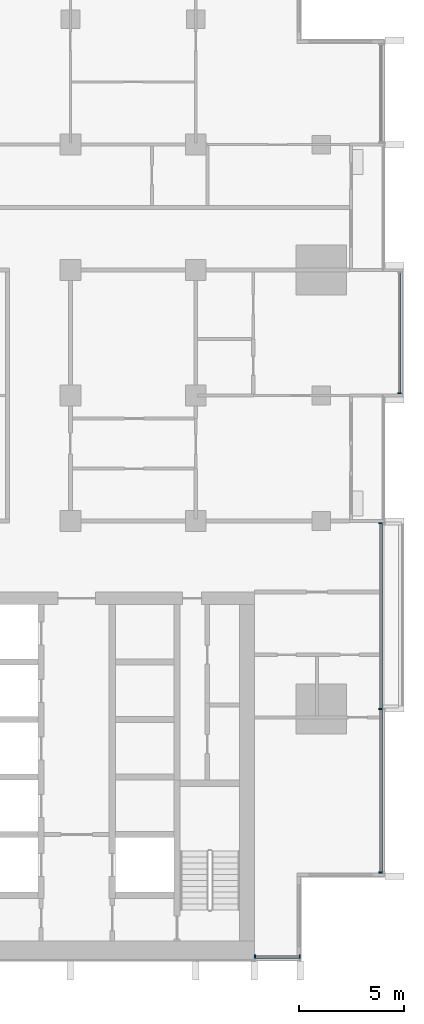
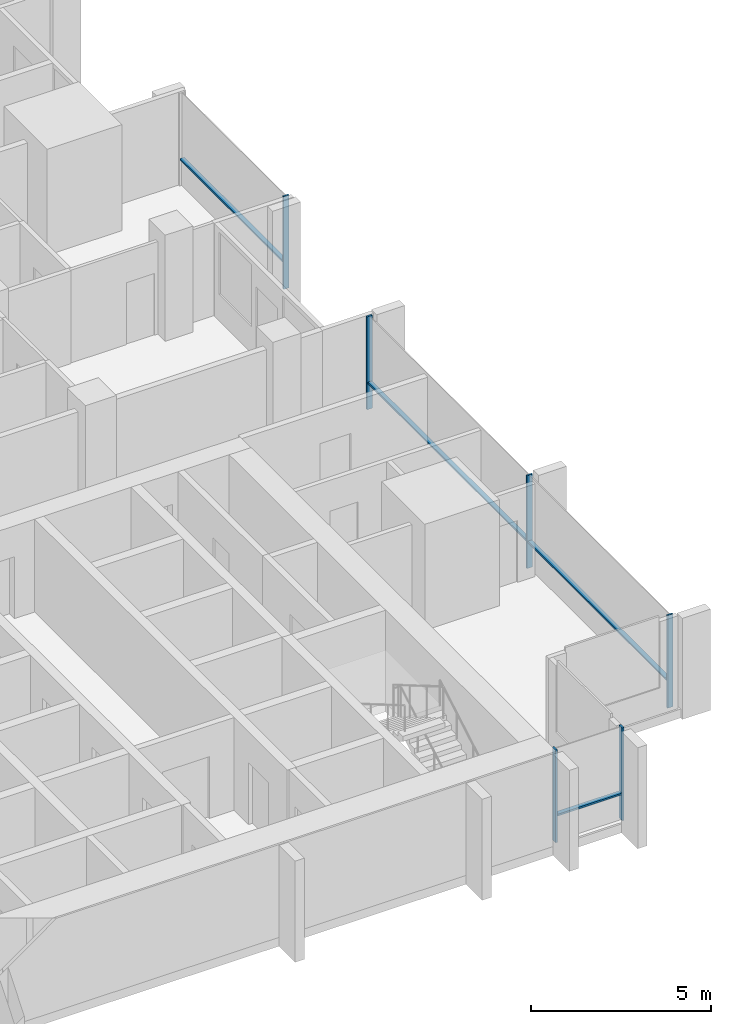
# One storey, part 3 of 17: 10 members, 3 elements without a shape of their own.
"""IFC4 building model written with IfcOpenShell, lengths in metres."""

from ifc_helpers import new_model, si_unit, direction, frame, origin, origin_2d, place, context, subcontext, project, spatial, rectangle, extrude, material, material_profile, profile_set, type_object, element, aggregate, save


model = new_model("IFC4")

# Units and contexts
model_context = context("Model", 3, precision=1e-05, world=origin(), true_north=direction((0.0, 1.0)))
body_context = subcontext(model_context, "Body", "Model", "MODEL_VIEW")
ifc_project = project(units=[si_unit("LENGTHUNIT", "METRE"), si_unit("AREAUNIT", "SQUARE_METRE"), si_unit("VOLUMEUNIT", "CUBIC_METRE"), si_unit("PLANEANGLEUNIT", "RADIAN"), si_unit("MASSUNIT", "GRAM", prefix="KILO")], contexts=[model_context])

# Site, building, storey
site_placement = place(None, origin())
site = spatial("IfcSite", under=ifc_project, at=site_placement, CompositionType="ELEMENT")
building_placement = place(site_placement, origin())
building = spatial("IfcBuilding", under=site, at=building_placement, Name="Finial Court Residences", CompositionType="ELEMENT")
storey_placement = place(building_placement, frame((0.0, 0.0, 196.10009765625)))
storey = spatial("IfcBuildingStorey", under=building, at=storey_placement, Name="L49", CompositionType="ELEMENT", Elevation=196.10009765625)

# Curtain wall, members
ifc_material = material(Name="Bronze anodised aluminium", Category="aluminium")
curtain_wall_type = type_object("IfcCurtainWallType", Name="Unitised curtain wall, upper zones", PredefinedType="NOTDEFINED", material=ifc_material)
curtain_wall_1_placement = place(storey_placement, origin())
curtain_wall_1 = element("IfcCurtainWall", 1, at=curtain_wall_1_placement, inside=storey, type_object=curtain_wall_type, Name="E-L49-CW-E4", PredefinedType="NOTDEFINED")
ifc_material_profile_1 = material_profile(ifc_material, rectangle(XDim=0.175048828125, YDim=0.06005859375, at=origin_2d()), Name="CW2 mullion 60 x 175")
ifc_profile_set_1 = profile_set([ifc_material_profile_1], Name="Bronze anodised aluminium")
member_type_1 = type_object("IfcMemberType", Name="CW2 mullion 60 x 175", PredefinedType="MULLION", material=ifc_profile_set_1)
member_1_placement = place(storey_placement, frame((19.35009765625, -21.320068359375, 0.0), z_axis=(0.0, 0.0, 1.0), x_axis=(-1.0, 0.0, 0.0)))
member_1 = element("IfcMember", 2, at=member_1_placement, type_object=member_type_1, Name="CW2 mullion 1", PredefinedType="MULLION", context=body_context, shape_type="SweptSolid", body=[
    extrude(rectangle(XDim=0.175048828125, YDim=0.06005859375, at=origin_2d()), origin(), (0.0, 0.0, 1.0), 3.14990234375),
])
member_2_placement = place(storey_placement, frame((19.35009765625, -13.5, 0.0), z_axis=(0.0, 0.0, 1.0), x_axis=(-1.0, 0.0, 0.0)))
member_2 = element("IfcMember", 3, at=member_2_placement, type_object=member_type_1, Name="CW2 mullion 2", PredefinedType="MULLION", context=body_context, shape_type="SweptSolid", body=[
    extrude(rectangle(XDim=0.175048828125, YDim=0.06005859375, at=origin_2d()), origin(), (0.0, 0.0, 1.0), 3.14990234375),
])
member_3_placement = place(storey_placement, frame((19.35009765625, -4.60498046875, 0.0), z_axis=(0.0, 0.0, 1.0), x_axis=(-1.0, 0.0, 0.0)))
member_3 = element("IfcMember", 4, at=member_3_placement, type_object=member_type_1, Name="CW2 mullion 3", PredefinedType="MULLION", context=body_context, shape_type="SweptSolid", body=[
    extrude(rectangle(XDim=0.175048828125, YDim=0.06005859375, at=origin_2d()), origin(), (0.0, 0.0, 1.0), 3.14990234375),
])

# Curtain wall, member
curtain_wall_2_placement = place(storey_placement, origin())
curtain_wall_2 = element("IfcCurtainWall", 5, at=curtain_wall_2_placement, inside=storey, type_object=curtain_wall_type, Name="E-L49-CW-E5", PredefinedType="NOTDEFINED")
member_4_placement = place(storey_placement, frame((20.25, 1.60498046875, 0.0), z_axis=(0.0, 0.0, 1.0), x_axis=(-1.0, 0.0, 0.0)))
member_4 = element("IfcMember", 6, at=member_4_placement, type_object=member_type_1, Name="CW2 mullion 1", PredefinedType="MULLION", context=body_context, shape_type="SweptSolid", body=[
    extrude(rectangle(XDim=0.175048828125, YDim=0.06005859375, at=origin_2d()), origin(), (0.0, 0.0, 1.0), 3.14990234375),
])

# Curtain wall, members
curtain_wall_3_placement = place(storey_placement, origin())
curtain_wall_3 = element("IfcCurtainWall", 7, at=curtain_wall_3_placement, inside=storey, type_object=curtain_wall_type, Name="E-L49-CW-S8", PredefinedType="NOTDEFINED")
member_5_placement = place(storey_placement, frame((13.330078125, -25.35009765625, 0.0), z_axis=(0.0, 0.0, 1.0), x_axis=(0.0, 1.0, 0.0)))
member_5 = element("IfcMember", 8, at=member_5_placement, type_object=member_type_1, Name="CW2 mullion 1", PredefinedType="MULLION", context=body_context, shape_type="SweptSolid", body=[
    extrude(rectangle(XDim=0.175048828125, YDim=0.06005859375, at=origin_2d()), origin(), (0.0, 0.0, 1.0), 3.14990234375),
])
member_6_placement = place(storey_placement, frame((15.469970703125, -25.35009765625, 0.0), z_axis=(0.0, 0.0, 1.0), x_axis=(0.0, 1.0, 0.0)))
member_6 = element("IfcMember", 9, at=member_6_placement, type_object=member_type_1, Name="CW2 mullion 2", PredefinedType="MULLION", context=body_context, shape_type="SweptSolid", body=[
    extrude(rectangle(XDim=0.175048828125, YDim=0.06005859375, at=origin_2d()), origin(), (0.0, 0.0, 1.0), 3.14990234375),
])

# Member
ifc_material_profile_2 = material_profile(ifc_material, rectangle(XDim=0.139892578125, YDim=0.06005859375, at=origin_2d()), Name="CW2 transom 60 x 140")
ifc_profile_set_2 = profile_set([ifc_material_profile_2], Name="Bronze anodised aluminium")
member_type_2 = type_object("IfcMemberType", Name="CW2 transom 60 x 140", PredefinedType="USERDEFINED", material=ifc_profile_set_2)
member_7_placement = place(storey_placement, frame((19.35009765625, -21.2900390625, 0.89990234375), z_axis=(0.0, 1.0, 0.0), x_axis=(-1.0, 0.0, 0.0)))
member_7 = element("IfcMember", 10, at=member_7_placement, type_object=member_type_2, Name="CW2 transom 1.1", ObjectType="TRANSOM", PredefinedType="USERDEFINED", context=body_context, shape_type="SweptSolid", body=[
    extrude(rectangle(XDim=0.139892578125, YDim=0.06005859375, at=origin_2d()), origin(), (0.0, 0.0, 1.0), 7.760009765625),
])

member_8_placement = place(storey_placement, frame((19.35009765625, -13.469970703125, 0.89990234375), z_axis=(0.0, 1.0, 0.0), x_axis=(-1.0, 0.0, 0.0)))
member_8 = element("IfcMember", 11, at=member_8_placement, type_object=member_type_2, Name="CW2 transom 2.1", ObjectType="TRANSOM", PredefinedType="USERDEFINED", context=body_context, shape_type="SweptSolid", body=[
    extrude(rectangle(XDim=0.139892578125, YDim=0.06005859375, at=origin_2d()), origin(), (0.0, 0.0, 1.0), 8.8349609375),
])

aggregate(curtain_wall_1, [member_1, member_2, member_3, member_7, member_8])

member_9_placement = place(storey_placement, frame((20.25, 1.635009765625, 0.89990234375), z_axis=(0.0, 1.0, 0.0), x_axis=(-1.0, 0.0, 0.0)))
member_9 = element("IfcMember", 12, at=member_9_placement, type_object=member_type_2, Name="CW2 transom 1.1", ObjectType="TRANSOM", PredefinedType="USERDEFINED", context=body_context, shape_type="SweptSolid", body=[
    extrude(rectangle(XDim=0.139892578125, YDim=0.06005859375, at=origin_2d()), origin(), (0.0, 0.0, 1.0), 5.72998046875),
])

aggregate(curtain_wall_2, [member_4, member_9])

member_10_placement = place(storey_placement, frame((13.360107421875, -25.35009765625, 0.89990234375), z_axis=(1.0, 0.0, 0.0), x_axis=(0.0, 1.0, 0.0)))
member_10 = element("IfcMember", 13, at=member_10_placement, type_object=member_type_2, Name="CW2 transom 1.1", ObjectType="TRANSOM", PredefinedType="USERDEFINED", context=body_context, shape_type="SweptSolid", body=[
    extrude(rectangle(XDim=0.139892578125, YDim=0.06005859375, at=origin_2d()), origin(), (0.0, 0.0, 1.0), 2.079833984375),
])

aggregate(curtain_wall_3, [member_5, member_6, member_10])

save(model, "model.ifc")
